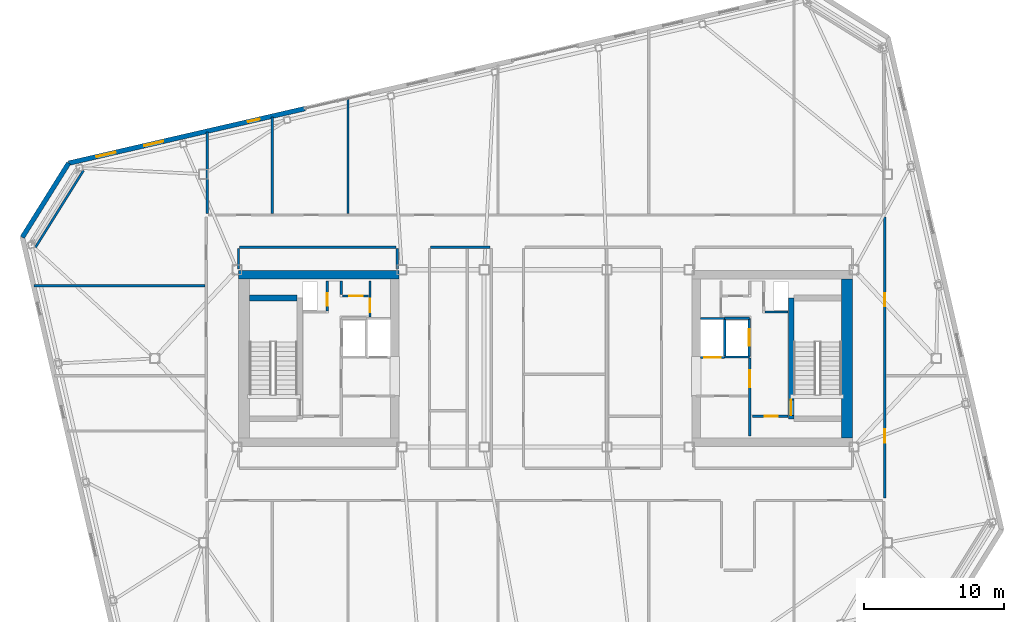
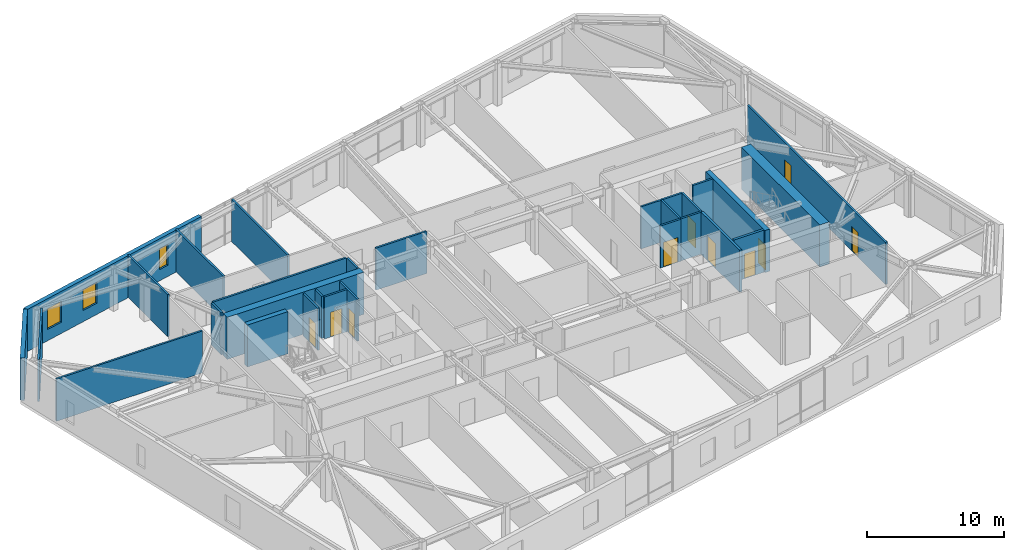
# One storey, part 18 of 23: 29 walls, 10 doors, 3 windows, 13 openings.
"""IFC4 building model written with IfcOpenShell, lengths in metres."""

import ifcopenshell
import ifcopenshell.guid

model = None  # the IFC model being written
_history = None  # IfcOwnerHistory: only IFC2X3 demands one
_inside = {}  # id of a spatial element -> (the spatial element, [elements in it])
_under = {}  # id of a project, library or spatial element -> (it, [spatial elements below it])
_declared = {}  # id of a project -> (the project, [libraries it declares])
_typed = {}  # id of a type object -> (the type object, [elements of that type])
_made_of = {}  # id of a material, layer set ... -> (it, [elements and type objects made of it])


def new_model(schema):
    """Start an empty IFC model of exactly this schema.

    Asked for "IFC4X3", IfcOpenShell would pick the latest addendum, in which some entities
    have other attributes; the version numbers below select the first issue.
    IFC2X3 requires an IfcOwnerHistory on every rooted entity: one is made here for all.
    """
    global model, _history
    if schema == "IFC4X3":
        model = ifcopenshell.file(schema_version=(4, 3, 0, 0))
    else:
        model = ifcopenshell.file(schema=schema)
    _inside.clear()
    _under.clear()
    _declared.clear()
    _typed.clear()
    _made_of.clear()
    _history = None
    if model.schema == "IFC2X3":
        org = make("IfcOrganization", Name="unknown")
        user = make(
            "IfcPersonAndOrganization",
            ThePerson=make("IfcPerson", FamilyName="unknown"),
            TheOrganization=org,
        )
        app = make(
            "IfcApplication",
            ApplicationDeveloper=org,
            Version="unknown",
            ApplicationFullName="unknown",
            ApplicationIdentifier="unknown",
        )
        _history = make(
            "IfcOwnerHistory",
            OwningUser=user,
            OwningApplication=app,
            ChangeAction="ADDED",
            CreationDate=0,
        )
    return model


def make(cls, **values):
    """One entity of the class cls with the attributes given. An attribute that is None is left unset."""
    return model.create_entity(
        cls, **{name: value for name, value in values.items() if value is not None}
    )


def rooted(cls, **values):
    """An entity with a GlobalId (a new one), such as an element, a storey or a relation."""
    return make(cls, GlobalId=ifcopenshell.guid.new(), OwnerHistory=_history, **values)


def si_unit(unit_type, name, prefix=None):
    """IfcSIUnit, for example si_unit("LENGTHUNIT", "METRE", prefix="MILLI")."""
    return make("IfcSIUnit", UnitType=unit_type, Prefix=prefix, Name=name)


def assignment(units):
    """IfcUnitAssignment: the units of a project."""
    return None if units is None else make("IfcUnitAssignment", Units=units)


def point(xyz):
    """IfcCartesianPoint."""
    return None if xyz is None else make("IfcCartesianPoint", Coordinates=xyz)


def direction(xyz):
    """IfcDirection."""
    return None if xyz is None else make("IfcDirection", DirectionRatios=xyz)


def frame(location, z_axis=None, x_axis=None):
    """IfcAxis2Placement3D, a coordinate frame: its origin and axes. An axis left out is left unset."""
    return make(
        "IfcAxis2Placement3D",
        Location=point(location),
        Axis=direction(z_axis),
        RefDirection=direction(x_axis),
    )


def frame_2d(location, x_axis=None):
    """IfcAxis2Placement2D, a coordinate frame in the plane: its origin and x axis."""
    return make(
        "IfcAxis2Placement2D", Location=point(location), RefDirection=direction(x_axis)
    )


def origin():
    """The frame at (0, 0, 0) with its axes left unset."""
    return frame((0.0, 0.0, 0.0))


def place(relative_to, where):
    """IfcLocalPlacement: puts the frame where relative to a parent placement (None: the world)."""
    return make(
        "IfcLocalPlacement", PlacementRelTo=relative_to, RelativePlacement=where
    )


def context(
    kind, dimensions, precision=None, world=None, true_north=None, identifier=None
):
    """IfcGeometricRepresentationContext, for example the 3D "Model" context."""
    return make(
        "IfcGeometricRepresentationContext",
        ContextIdentifier=identifier,
        ContextType=kind,
        CoordinateSpaceDimension=dimensions,
        Precision=precision,
        WorldCoordinateSystem=world,
        TrueNorth=true_north,
    )


def subcontext(parent, identifier, kind, view, scale=None):
    """IfcGeometricRepresentationSubContext, for example "Body" below "Model"."""
    return make(
        "IfcGeometricRepresentationSubContext",
        ContextIdentifier=identifier,
        ContextType=kind,
        ParentContext=parent,
        TargetScale=scale,
        TargetView=view,
    )


def project(units=None, contexts=None):
    """IfcProject with its units and contexts."""
    return rooted(
        "IfcProject",
        Name="project",
        RepresentationContexts=contexts,
        UnitsInContext=assignment(units),
    )


def spatial(cls, under=None, at=None, **own):
    """A site, building, storey or space (cls), placed at a placement, below another one or the project."""
    s = rooted(cls, ObjectPlacement=at, **own)
    if under is not None:
        _under.setdefault(under.id(), (under, []))[1].append(s)
    return s


def profile(cls, at=None, kind="AREA", **sizes):
    """A parametric profile (cls). Its sizes go by their IFC names, for example OverallWidth=200.0."""
    return make(cls, ProfileType=kind, Position=at, **sizes)


def rectangle(**sizes):
    """IfcRectangleProfileDef."""
    return profile("IfcRectangleProfileDef", **sizes)


def extrude(swept, where, along, depth):
    """IfcExtrudedAreaSolid: the profile swept, set in the frame where, extruded along a direction by depth."""
    return make(
        "IfcExtrudedAreaSolid",
        SweptArea=swept,
        Position=where,
        ExtrudedDirection=direction(along),
        Depth=depth,
    )


def shape(context_of_items, identifier, shape_type, items):
    """IfcShapeRepresentation: the items that make up one representation, for example the "Body"."""
    return make(
        "IfcShapeRepresentation",
        ContextOfItems=context_of_items,
        RepresentationIdentifier=identifier,
        RepresentationType=shape_type,
        Items=items,
    )


def material(Name=None, Category=None):
    """IfcMaterial."""
    return make("IfcMaterial", Name=Name, Category=Category)


def layer(
    of_material, thickness, ventilated=None, Name=None, Category=None, Priority=None
):
    """IfcMaterialLayer: one layer of a wall or slab, of a material (None: an air gap)."""
    return make(
        "IfcMaterialLayer",
        Material=of_material,
        LayerThickness=thickness,
        IsVentilated=ventilated,
        Name=Name,
        Category=Category,
        Priority=Priority,
    )


def layer_set(layers, Name=None):
    """IfcMaterialLayerSet."""
    return make("IfcMaterialLayerSet", MaterialLayers=layers, LayerSetName=Name)


def made_of(thing, what):
    """Note that an element or type object is made of a material, layer set ...; save() writes the relation."""
    if what is not None:
        _made_of.setdefault(what.id(), (what, []))[1].append(thing)
    return thing


def type_object(cls, material=None, **own):
    """A type object (cls), such as IfcWallType, which elements share."""
    return made_of(rooted(cls, **own), material)


def element(
    cls,
    number,
    at=None,
    inside=None,
    cuts=None,
    type_object=None,
    material=None,
    context=None,
    identifier="Body",
    shape_type=None,
    held_by="IfcProductDefinitionShape",
    body=None,
    shapes=None,
    **own,
):
    """One element of the class cls, such as IfcWall. Its Tag is "e" and its number.

    at: its placement. inside: the storey or other place that contains it. cuts: it is an
    opening in that element (IfcRelVoidsElement). A single representation is given by context,
    identifier, shape_type and body (its items); several are given by shapes. held_by: the class
    of the entity that holds the representations. save() writes the other relations.
    """
    e = rooted(cls, Tag="e%d" % number, ObjectPlacement=at, **own)
    if body is not None:
        shapes = [shape(context, identifier, shape_type, body)]
    if shapes is not None:
        e.Representation = make(held_by, Representations=shapes)
    if inside is not None:
        _inside.setdefault(inside.id(), (inside, []))[1].append(e)
    if cuts is not None:
        rooted(
            "IfcRelVoidsElement", RelatingBuildingElement=cuts, RelatedOpeningElement=e
        )
    if type_object is not None:
        _typed.setdefault(type_object.id(), (type_object, []))[1].append(e)
    return made_of(e, material)


def fill(opening, filler):
    """IfcRelFillsElement: the door or window that sits in an opening."""
    return rooted(
        "IfcRelFillsElement",
        RelatingOpeningElement=opening,
        RelatedBuildingElement=filler,
    )


def aggregate(whole, parts):
    """IfcRelAggregates: a whole, such as a stair, and the parts it consists of."""
    return rooted("IfcRelAggregates", RelatingObject=whole, RelatedObjects=parts)


def save(model, path):
    """Write the relations noted so far, then the file.

    IfcRelAggregates (storeys below a building ...), IfcRelContainedInSpatialStructure (elements
    in a storey), IfcRelDefinesByType, IfcRelAssociatesMaterial and IfcRelDeclares: one each for
    every whole, place, type object, material and project.
    """
    for whole, parts in _under.values():
        aggregate(whole, parts)
    for where, things in _inside.values():
        rooted(
            "IfcRelContainedInSpatialStructure",
            RelatedElements=things,
            RelatingStructure=where,
        )
    for kind, things in _typed.values():
        rooted("IfcRelDefinesByType", RelatedObjects=things, RelatingType=kind)
    for what, things in _made_of.values():
        rooted("IfcRelAssociatesMaterial", RelatedObjects=things, RelatingMaterial=what)
    for by, libraries in _declared.values():
        rooted("IfcRelDeclares", RelatingContext=by, RelatedDefinitions=libraries)
    model.write(path)


model = new_model("IFC4")

# Units and contexts
model_context = context("Model", 3, precision=1e-05, world=origin(), true_north=direction((0.0, 1.0)))
body_context = subcontext(model_context, "Body", "Model", "MODEL_VIEW")
ifc_project = project(units=[si_unit("LENGTHUNIT", "METRE"), si_unit("AREAUNIT", "SQUARE_METRE"), si_unit("VOLUMEUNIT", "CUBIC_METRE"), si_unit("PLANEANGLEUNIT", "RADIAN"), si_unit("MASSUNIT", "GRAM", prefix="KILO")], contexts=[model_context])

# Site, building, storey
site_placement = place(None, origin())
site = spatial("IfcSite", under=ifc_project, at=site_placement, CompositionType="ELEMENT")
building_placement = place(site_placement, origin())
building = spatial("IfcBuilding", under=site, at=building_placement, Name="Tavrogorsk Clinical Tower", CompositionType="ELEMENT")
storey_placement = place(building_placement, frame((0.0, 0.0, 301.0)))
storey = spatial("IfcBuildingStorey", under=building, at=storey_placement, Name="L70", CompositionType="ELEMENT", Elevation=301.0)

# Wall, opening, door
ifc_material_1 = material(Name="Concrete B60", Category="concrete")
ifc_layer_1 = layer(ifc_material_1, 0.199951171875)
ifc_layer_set_1 = layer_set([ifc_layer_1], Name="Concrete B60")
wall_type_1 = type_object("IfcWallType", Name="CoreFireWall_200", PredefinedType="SOLIDWALL", material=ifc_layer_set_1)
wall_1_placement = place(storey_placement, frame((14.824951171875, -4.139892578125, 0.0), z_axis=(0.0, 0.0, 1.0), x_axis=(1.0, 0.0, 0.0)))
wall_1 = element("IfcWall", 1, at=wall_1_placement, inside=storey, type_object=wall_type_1, Name="L70 Core East South Core Room Fire Wall", PredefinedType="SOLIDWALL", context=body_context, shape_type="SweptSolid", body=[
    extrude(rectangle(XDim=2.554931640625, YDim=0.199951171875, at=frame_2d((1.27734375, 0.0))), origin(), (0.0, 0.0, 1.0), 3.739990234375),
])
opening_1_placement = place(wall_1_placement, frame((0.8798828125, 0.0, 0.0)))
opening_1 = element("IfcOpeningElement", 2, at=opening_1_placement, cuts=wall_1, Name="Opening ID-02", PredefinedType="OPENING", context=body_context, shape_type="SweptSolid", body=[
    extrude(rectangle(XDim=0.949951171875, YDim=2.199951171875, at=frame_2d((0.47509765625, 1.10009765625))), frame((0.0, 0.10986328125, 0.0), z_axis=(0.0, -1.0, 0.0), x_axis=(1.0, 0.0, 0.0)), (0.0, 0.0, 1.0), 0.219970703125),
])
ifc_material_2 = material(Name="Laminated timber leaf on aluminium frame", Category="wood")
door_type_1 = type_object("IfcDoorType", Name="InteriorDoor_ID02_950", OperationType="NOTDEFINED", PredefinedType="DOOR", material=ifc_material_2)
door_1_placement = place(opening_1_placement, origin())
door_1 = element("IfcDoor", 3, at=door_1_placement, inside=storey, type_object=door_type_1, Name="L70 Core East South Core Room Door", OperationType="SINGLE_SWING_RIGHT", OverallHeight=2.199951171875, OverallWidth=0.949951171875, PredefinedType="DOOR", context=body_context, shape_type="SweptSolid", body=[
    extrude(rectangle(XDim=0.949951171875, YDim=2.199951171875, at=frame_2d((0.47509765625, 1.10009765625))), frame((0.0, 0.02490234375, 0.0), z_axis=(0.0, -1.0, 0.0), x_axis=(1.0, 0.0, 0.0)), (0.0, 0.0, 1.0), 0.050048828125),
])
fill(opening_1, door_1)

wall_2_placement = place(storey_placement, frame((14.639892578125, -5.56005859375, 0.0), z_axis=(0.0, 0.0, 1.0), x_axis=(0.0, 1.0, 0.0)))
wall_2 = element("IfcWall", 4, at=wall_2_placement, inside=storey, type_object=wall_type_1, Name="L70 Core East Firefighting Lobby Fire Wall", PredefinedType="SOLIDWALL", context=body_context, shape_type="SweptSolid", body=[
    extrude(rectangle(XDim=5.60009765625, YDim=0.199951171875, at=frame_2d((2.800048828125, 0.0))), origin(), (0.0, 0.0, 1.0), 3.739990234375),
])
opening_2_placement = place(wall_2_placement, frame((3.510009765625, 0.0, 0.0)))
opening_2 = element("IfcOpeningElement", 5, at=opening_2_placement, cuts=wall_2, Name="Opening FD-01", PredefinedType="OPENING", context=body_context, shape_type="SweptSolid", body=[
    extrude(rectangle(XDim=1.199951171875, YDim=2.199951171875, at=frame_2d((0.60009765625, 1.10009765625))), frame((0.0, 0.10986328125, 0.0), z_axis=(0.0, -1.0, 0.0), x_axis=(1.0, 0.0, 0.0)), (0.0, 0.0, 1.0), 0.219970703125),
])
ifc_material_3 = material(Name="Galvanised steel fire-rated door assembly", Category="steel")
door_type_2 = type_object("IfcDoorType", Name="FireDoor_FD01_1200", OperationType="NOTDEFINED", PredefinedType="DOOR", material=ifc_material_3)
door_2_placement = place(opening_2_placement, origin())
door_2 = element("IfcDoor", 6, at=door_2_placement, inside=storey, type_object=door_type_2, Name="L70 Core East Firefighting Lobby Entry Door", OperationType="SINGLE_SWING_RIGHT", OverallHeight=2.199951171875, OverallWidth=1.199951171875, PredefinedType="DOOR", context=body_context, shape_type="SweptSolid", body=[
    extrude(rectangle(XDim=1.199951171875, YDim=2.199951171875, at=frame_2d((0.60009765625, 1.10009765625))), frame((0.0, 0.02490234375, 0.0), z_axis=(0.0, -1.0, 0.0), x_axis=(1.0, 0.0, 0.0)), (0.0, 0.0, 1.0), 0.050048828125),
])
fill(opening_2, door_2)

ifc_material_4 = material(Name="Lightweight concrete blockwork B15", Category="masonry")
ifc_layer_2 = layer(ifc_material_4, 0.159912109375)
ifc_layer_set_2 = layer_set([ifc_layer_2], Name="Lightweight concrete blockwork B15")
wall_type_2 = type_object("IfcWallType", Name="PartitionWall_160", PredefinedType="PARTITIONING", material=ifc_layer_set_2)
wall_3_placement = place(storey_placement, frame((-12.580078125, 2.9599609375, 0.0), z_axis=(0.0, 0.0, 1.0), x_axis=(0.0, 1.0, 0.0)))
wall_3 = element("IfcWall", 7, at=wall_3_placement, inside=storey, type_object=wall_type_2, Name="L70 Core West Linen Closet Wall", PredefinedType="PARTITIONING", context=body_context, shape_type="SweptSolid", body=[
    extrude(rectangle(XDim=2.60009765625, YDim=0.159912109375, at=frame_2d((1.300048828125, 0.0))), origin(), (0.0, 0.0, 1.0), 3.739990234375),
])
opening_3_placement = place(wall_3_placement, frame((0.35009765625, 0.0, 0.0)))
opening_3 = element("IfcOpeningElement", 8, at=opening_3_placement, cuts=wall_3, Name="Opening ID-02", PredefinedType="OPENING", context=body_context, shape_type="SweptSolid", body=[
    extrude(rectangle(XDim=0.949951171875, YDim=2.199951171875, at=frame_2d((0.47509765625, 1.10009765625))), frame((0.0, 0.08984375, 0.0), z_axis=(0.0, -1.0, 0.0), x_axis=(1.0, 0.0, 0.0)), (0.0, 0.0, 1.0), 0.179931640625),
])
door_3_placement = place(opening_3_placement, origin())
door_3 = element("IfcDoor", 9, at=door_3_placement, inside=storey, type_object=door_type_1, Name="L70 Core West Linen Closet Door", OperationType="SINGLE_SWING_RIGHT", OverallHeight=2.199951171875, OverallWidth=0.949951171875, PredefinedType="DOOR", context=body_context, shape_type="SweptSolid", body=[
    extrude(rectangle(XDim=0.949951171875, YDim=2.199951171875, at=frame_2d((0.47509765625, 1.10009765625))), frame((0.0, 0.02490234375, 0.0), z_axis=(0.0, -1.0, 0.0), x_axis=(1.0, 0.0, 0.0)), (0.0, 0.0, 1.0), 0.050048828125),
])
fill(opening_3, door_3)

wall_4_placement = place(storey_placement, frame((-14.554931640625, 4.47998046875, 0.0), z_axis=(0.0, 0.0, 1.0), x_axis=(1.0, 0.0, 0.0)))
wall_4 = element("IfcWall", 10, at=wall_4_placement, inside=storey, type_object=wall_type_2, Name="L70 Core West Housekeeping South Wall", PredefinedType="PARTITIONING", context=body_context, shape_type="SweptSolid", body=[
    extrude(rectangle(XDim=1.889892578125, YDim=0.159912109375, at=frame_2d((0.94482421875, 0.0))), origin(), (0.0, 0.0, 1.0), 3.739990234375),
])
opening_4_placement = place(wall_4_placement, frame((0.5, 0.0, 0.0)))
opening_4 = element("IfcOpeningElement", 11, at=opening_4_placement, cuts=wall_4, Name="Opening ID-02", PredefinedType="OPENING", context=body_context, shape_type="SweptSolid", body=[
    extrude(rectangle(XDim=0.949951171875, YDim=2.199951171875, at=frame_2d((0.47509765625, 1.10009765625))), frame((0.0, 0.08984375, 0.0), z_axis=(0.0, -1.0, 0.0), x_axis=(1.0, 0.0, 0.0)), (0.0, 0.0, 1.0), 0.179931640625),
])
door_4_placement = place(opening_4_placement, origin())
door_4 = element("IfcDoor", 12, at=door_4_placement, inside=storey, type_object=door_type_1, Name="L70 Core West Housekeeping Closet Door", OperationType="SINGLE_SWING_LEFT", OverallHeight=2.199951171875, OverallWidth=0.949951171875, PredefinedType="DOOR", context=body_context, shape_type="SweptSolid", body=[
    extrude(rectangle(XDim=0.949951171875, YDim=2.199951171875, at=frame_2d((0.47509765625, 1.10009765625))), frame((0.0, 0.02490234375, 0.0), z_axis=(0.0, -1.0, 0.0), x_axis=(1.0, 0.0, 0.0)), (0.0, 0.0, 1.0), 0.050048828125),
])
fill(opening_4, door_4)

# Walls
wall_5_placement = place(storey_placement, frame((-14.639892578125, 4.56494140625, 0.0), z_axis=(0.0, 0.0, 1.0), x_axis=(0.0, 1.0, 0.0)))
element("IfcWall", 13, at=wall_5_placement, inside=storey, type_object=wall_type_2, Name="L70 Core West Housekeeping East Wall", PredefinedType="PARTITIONING", context=body_context, shape_type="SweptSolid", body=[
    extrude(rectangle(XDim=0.9951171875, YDim=0.159912109375, at=frame_2d((0.49755859375, 0.0))), origin(), (0.0, 0.0, 1.0), 3.739990234375),
])
wall_6_placement = place(storey_placement, frame((-33.10009765625, 13.464599609375, 0.0), z_axis=(0.0, 0.0, 1.0), x_axis=(-0.529958457806, -0.848023604035, 0.0)))
element("IfcWall", 14, at=wall_6_placement, inside=storey, type_object=wall_type_2, Name="L70 Corner Exoskeleton Brace Furring Wall 3", PredefinedType="PARTITIONING", context=body_context, shape_type="SweptSolid", body=[
    extrude(rectangle(XDim=6.505126953125, YDim=0.159912109375, at=frame_2d((3.25244140625, 0.0))), origin(), (0.0, 0.0, 1.0), 3.739990234375),
])

# Wall, openings, doors
wall_7_placement = place(storey_placement, frame((24.31005859375, 10.114990234375, 0.0), z_axis=(0.0, 0.0, 1.0), x_axis=(0.0, -1.0, 0.0)))
wall_7 = element("IfcWall", 15, at=wall_7_placement, inside=storey, type_object=wall_type_2, Name="L70 Corridor Partition 03", PredefinedType="PARTITIONING", context=body_context, shape_type="SweptSolid", body=[
    extrude(rectangle(XDim=20.1298828125, YDim=0.159912109375, at=frame_2d((10.06494140625, 0.0))), origin(), (0.0, 0.0, 1.0), 3.739990234375),
])
opening_5_placement = place(wall_7_placement, frame((15.205810546875, 0.0, 0.0)))
opening_5 = element("IfcOpeningElement", 16, at=opening_5_placement, cuts=wall_7, Name="Opening ID-02", PredefinedType="OPENING", context=body_context, shape_type="SweptSolid", body=[
    extrude(rectangle(XDim=0.949951171875, YDim=2.199951171875, at=frame_2d((0.47509765625, 1.10009765625))), frame((0.0, 0.08984375, 0.0), z_axis=(0.0, -1.0, 0.0), x_axis=(1.0, 0.0, 0.0)), (0.0, 0.0, 1.0), 0.179931640625),
])
opening_6_placement = place(wall_7_placement, frame((5.444091796875, 0.0, 0.0)))
opening_6 = element("IfcOpeningElement", 17, at=opening_6_placement, cuts=wall_7, Name="Opening ID-02", PredefinedType="OPENING", context=body_context, shape_type="SweptSolid", body=[
    extrude(rectangle(XDim=0.949951171875, YDim=2.199951171875, at=frame_2d((0.47509765625, 1.10009765625))), frame((0.0, 0.08984375, 0.0), z_axis=(0.0, -1.0, 0.0), x_axis=(1.0, 0.0, 0.0)), (0.0, 0.0, 1.0), 0.179931640625),
])
door_5_placement = place(opening_5_placement, origin())
door_5 = element("IfcDoor", 18, at=door_5_placement, inside=storey, type_object=door_type_1, Name="L70 E Senior Clinician Suite 1 Door", OperationType="SINGLE_SWING_RIGHT", OverallHeight=2.199951171875, OverallWidth=0.949951171875, PredefinedType="DOOR", context=body_context, shape_type="SweptSolid", body=[
    extrude(rectangle(XDim=0.949951171875, YDim=2.199951171875, at=frame_2d((0.47509765625, 1.10009765625))), frame((0.0, 0.02490234375, 0.0), z_axis=(0.0, -1.0, 0.0), x_axis=(1.0, 0.0, 0.0)), (0.0, 0.0, 1.0), 0.050048828125),
])
fill(opening_5, door_5)
door_6_placement = place(opening_6_placement, origin())
door_6 = element("IfcDoor", 19, at=door_6_placement, inside=storey, type_object=door_type_1, Name="L70 E Multidisciplinary Seminar Suite 2 Door", OperationType="SINGLE_SWING_LEFT", OverallHeight=2.199951171875, OverallWidth=0.949951171875, PredefinedType="DOOR", context=body_context, shape_type="SweptSolid", body=[
    extrude(rectangle(XDim=0.949951171875, YDim=2.199951171875, at=frame_2d((0.47509765625, 1.10009765625))), frame((0.0, 0.02490234375, 0.0), z_axis=(0.0, -1.0, 0.0), x_axis=(1.0, 0.0, 0.0)), (0.0, 0.0, 1.0), 0.050048828125),
])
fill(opening_6, door_6)

# Walls
wall_8_placement = place(storey_placement, frame((-3.965087890625, 7.969970703125, 0.0), z_axis=(0.0, 0.0, 1.0), x_axis=(-1.0, 0.0, 0.0)))
element("IfcWall", 20, at=wall_8_placement, inside=storey, type_object=wall_type_2, Name="L70 Corridor Partition 20", PredefinedType="PARTITIONING", context=body_context, shape_type="SweptSolid", body=[
    extrude(rectangle(XDim=4.27001953125, YDim=0.159912109375, at=frame_2d((2.135009765625, 0.0))), origin(), (0.0, 0.0, 1.0), 3.739990234375),
])
wall_9_placement = place(storey_placement, frame((-10.6298828125, 6.419921875, 0.0), z_axis=(0.0, 0.0, 1.0), x_axis=(0.0, 1.0, 0.0)))
element("IfcWall", 21, at=wall_9_placement, inside=storey, type_object=wall_type_2, Name="L70 Corridor Partition 24", PredefinedType="PARTITIONING", context=body_context, shape_type="SweptSolid", body=[
    extrude(rectangle(XDim=1.465087890625, YDim=0.159912109375, at=frame_2d((0.732421875, 0.0))), origin(), (0.0, 0.0, 1.0), 3.739990234375),
])
wall_10_placement = place(storey_placement, frame((-10.715087890625, 7.969970703125, 0.0), z_axis=(0.0, 0.0, 1.0), x_axis=(-1.0, 0.0, 0.0)))
element("IfcWall", 22, at=wall_10_placement, inside=storey, type_object=wall_type_2, Name="L70 Corridor Partition 25", PredefinedType="PARTITIONING", context=body_context, shape_type="SweptSolid", body=[
    extrude(rectangle(XDim=11.199951171875, YDim=0.159912109375, at=frame_2d((5.60009765625, 0.0))), origin(), (0.0, 0.0, 1.0), 3.739990234375),
])
wall_11_placement = place(storey_placement, frame((-22.0, 7.885009765625, 0.0), z_axis=(0.0, 0.0, 1.0), x_axis=(0.0, -1.0, 0.0)))
element("IfcWall", 23, at=wall_11_placement, inside=storey, type_object=wall_type_2, Name="L70 Corridor Partition 26", PredefinedType="PARTITIONING", context=body_context, shape_type="SweptSolid", body=[
    extrude(rectangle(XDim=1.465087890625, YDim=0.159912109375, at=frame_2d((0.732421875, 0.0))), origin(), (0.0, 0.0, 1.0), 3.739990234375),
])
wall_12_placement = place(storey_placement, frame((-24.22998046875, 10.364990234375, 0.0), z_axis=(0.0, 0.0, 1.0), x_axis=(0.0, 1.0, 0.0)))
element("IfcWall", 24, at=wall_12_placement, inside=storey, type_object=wall_type_2, Name="L70 NW Wing Closure Partition", PredefinedType="PARTITIONING", context=body_context, shape_type="SweptSolid", body=[
    extrude(rectangle(XDim=5.845947265625, YDim=0.159912109375, at=frame_2d((2.9228515625, 0.0))), origin(), (0.0, 0.0, 1.0), 3.739990234375),
])
wall_13_placement = place(storey_placement, frame((-19.580078125, 10.364990234375, 0.0), z_axis=(0.0, 0.0, 1.0), x_axis=(0.0, 1.0, 0.0)))
element("IfcWall", 25, at=wall_13_placement, inside=storey, type_object=wall_type_2, Name="L70 North Room Partition 1", PredefinedType="PARTITIONING", context=body_context, shape_type="SweptSolid", body=[
    extrude(rectangle(XDim=6.91943359375, YDim=0.159912109375, at=frame_2d((3.459716796875, 0.0))), origin(), (0.0, 0.0, 1.0), 3.739990234375),
])
wall_14_placement = place(storey_placement, frame((-14.159912109375, 10.364990234375, 0.0), z_axis=(0.0, 0.0, 1.0), x_axis=(0.0, 1.0, 0.0)))
element("IfcWall", 26, at=wall_14_placement, inside=storey, type_object=wall_type_2, Name="L70 North Room Partition 2", PredefinedType="PARTITIONING", context=body_context, shape_type="SweptSolid", body=[
    extrude(rectangle(XDim=8.1708984375, YDim=0.159912109375, at=frame_2d((4.08544921875, 0.0))), origin(), (0.0, 0.0, 1.0), 3.739990234375),
])
wall_15_placement = place(storey_placement, frame((-36.662841796875, 5.199951171875, 0.0), z_axis=(0.0, 0.0, 1.0), x_axis=(1.0, 0.0, 0.0)))
element("IfcWall", 27, at=wall_15_placement, inside=storey, type_object=wall_type_2, Name="L70 W Wing Divider 3", PredefinedType="PARTITIONING", context=body_context, shape_type="SweptSolid", body=[
    extrude(rectangle(XDim=12.267822265625, YDim=0.159912109375, at=frame_2d((6.1337890625, 0.0))), origin(), (0.0, 0.0, 1.0), 3.739990234375),
])

# Wall, openings, windows
ifc_material_5 = material(Name="Precast concrete B45 with limestone cladding", Category="masonry")
ifc_layer_3 = layer(ifc_material_5, 0.340087890625)
ifc_layer_set_3 = layer_set([ifc_layer_3], Name="Precast concrete B45 with limestone cladding")
wall_type_3 = type_object("IfcWallType", Name="PrecastLimestoneWall_340", PredefinedType="STANDARD", material=ifc_layer_set_3)
wall_16_placement = place(storey_placement, frame((-17.2451171875, 17.895263671875, 0.0), z_axis=(0.0, 0.0, 1.0), x_axis=(-0.97437318493, -0.224937539085, 0.0)))
wall_16 = element("IfcWall", 28, at=wall_16_placement, inside=storey, type_object=wall_type_3, Name="L70 N Limestone Facade Wall 3", PredefinedType="STANDARD", context=body_context, shape_type="SweptSolid", body=[
    extrude(rectangle(XDim=17.365966796875, YDim=0.340087890625, at=frame_2d((8.68310546875, 0.0))), origin(), (0.0, 0.0, 1.0), 3.739990234375),
])
opening_7_placement = place(wall_16_placement, frame((13.924560546875, 0.0, 1.0)))
opening_7 = element("IfcOpeningElement", 29, at=opening_7_placement, cuts=wall_16, Name="Opening WN-17", PredefinedType="OPENING", context=body_context, shape_type="SweptSolid", body=[
    extrude(rectangle(XDim=1.39990234375, YDim=1.85009765625, at=frame_2d((0.699951171875, 0.925048828125))), frame((0.0, 0.179931640625, 0.0), z_axis=(0.0, -1.0, 0.0), x_axis=(1.0, 0.0, 0.0)), (0.0, 0.0, 1.0), 0.360107421875),
])
opening_8_placement = place(wall_16_placement, frame((10.412841796875, 0.0, 1.0)))
opening_8 = element("IfcOpeningElement", 30, at=opening_8_placement, cuts=wall_16, Name="Opening WN-17", PredefinedType="OPENING", context=body_context, shape_type="SweptSolid", body=[
    extrude(rectangle(XDim=1.39990234375, YDim=1.85009765625, at=frame_2d((0.699951171875, 0.925048828125))), frame((0.0, 0.179931640625, 0.0), z_axis=(0.0, -1.0, 0.0), x_axis=(1.0, 0.0, 0.0)), (0.0, 0.0, 1.0), 0.360107421875),
])
opening_9_placement = place(wall_16_placement, frame((3.32861328125, 0.0, 1.0)))
opening_9 = element("IfcOpeningElement", 31, at=opening_9_placement, cuts=wall_16, Name="Opening WN-06", PredefinedType="OPENING", context=body_context, shape_type="SweptSolid", body=[
    extrude(rectangle(XDim=0.85009765625, YDim=1.85009765625, at=frame_2d((0.425048828125, 0.925048828125))), frame((0.0, 0.179931640625, 0.0), z_axis=(0.0, -1.0, 0.0), x_axis=(1.0, 0.0, 0.0)), (0.0, 0.0, 1.0), 0.360107421875),
])
ifc_material_6 = material(Name="Thermally broken aluminium frame and triple IGU", Category="aluminium")
window_type_1 = type_object("IfcWindowType", Name="MullionSubWin_850x1850", PartitioningType="SINGLE_PANEL", PredefinedType="WINDOW", material=ifc_material_6)
window_1_placement = place(opening_9_placement, origin())
window_1 = element("IfcWindow", 32, at=window_1_placement, inside=storey, type_object=window_type_1, Name="L70 N Mullion Split Window 04B", OverallHeight=1.85009765625, OverallWidth=0.85009765625, PartitioningType="SINGLE_PANEL", PredefinedType="WINDOW", context=body_context, shape_type="SweptSolid", body=[
    extrude(rectangle(XDim=0.85009765625, YDim=1.85009765625, at=frame_2d((0.425048828125, 0.925048828125))), frame((0.0, 0.030029296875, 0.0), z_axis=(0.0, -1.0, 0.0), x_axis=(1.0, 0.0, 0.0)), (0.0, 0.0, 1.0), 0.06005859375),
])
fill(opening_9, window_1)
ifc_material_7 = material(Name="Thermally broken aluminium frame and triple IGU", Category="aluminium")
window_type_2 = type_object("IfcWindowType", Name="TelemetryWin_1400x1850", PartitioningType="SINGLE_PANEL", PredefinedType="WINDOW", material=ifc_material_7)
window_2_placement = place(opening_7_placement, origin())
window_2 = element("IfcWindow", 33, at=window_2_placement, inside=storey, type_object=window_type_2, Name="L70 N Chicago Window 01", OverallHeight=1.85009765625, OverallWidth=1.39990234375, PartitioningType="SINGLE_PANEL", PredefinedType="WINDOW", context=body_context, shape_type="SweptSolid", body=[
    extrude(rectangle(XDim=1.39990234375, YDim=1.85009765625, at=frame_2d((0.699951171875, 0.925048828125))), frame((0.0, 0.030029296875, 0.0), z_axis=(0.0, -1.0, 0.0), x_axis=(1.0, 0.0, 0.0)), (0.0, 0.0, 1.0), 0.06005859375),
])
fill(opening_7, window_2)
window_3_placement = place(opening_8_placement, origin())
window_3 = element("IfcWindow", 34, at=window_3_placement, inside=storey, type_object=window_type_2, Name="L70 N Chicago Window 02", OverallHeight=1.85009765625, OverallWidth=1.39990234375, PartitioningType="SINGLE_PANEL", PredefinedType="WINDOW", context=body_context, shape_type="SweptSolid", body=[
    extrude(rectangle(XDim=1.39990234375, YDim=1.85009765625, at=frame_2d((0.699951171875, 0.925048828125))), frame((0.0, 0.030029296875, 0.0), z_axis=(0.0, -1.0, 0.0), x_axis=(1.0, 0.0, 0.0)), (0.0, 0.0, 1.0), 0.06005859375),
])
fill(opening_8, window_3)

# Wall
wall_17_placement = place(storey_placement, frame((-34.165771484375, 13.989013671875, 0.0), z_axis=(0.0, 0.0, 1.0), x_axis=(-0.529935887993, -0.848037708252, 0.0)))
element("IfcWall", 35, at=wall_17_placement, inside=storey, type_object=wall_type_3, Name="L70 Chamfered Corner Wall 3", PredefinedType="STANDARD", context=body_context, shape_type="SweptSolid", body=[
    extrude(rectangle(XDim=6.26513671875, YDim=0.340087890625, at=frame_2d((3.132568359375, 0.0))), origin(), (0.0, 0.0, 1.0), 3.739990234375),
])

# Wall, opening, door
ifc_material_8 = material(Name="Lightweight concrete blockwork B25", Category="masonry")
ifc_layer_4 = layer(ifc_material_8, 0.159912109375)
ifc_layer_set_4 = layer_set([ifc_layer_4], Name="Lightweight concrete blockwork B25")
wall_type_4 = type_object("IfcWallType", Name="ShaftWall_160", PredefinedType="PARTITIONING", material=ifc_layer_set_4)
wall_18_placement = place(storey_placement, frame((14.60009765625, 0.1201171875, 0.0), z_axis=(0.0, 0.0, 1.0), x_axis=(0.0, 1.0, 0.0)))
wall_18 = element("IfcWall", 36, at=wall_18_placement, inside=storey, type_object=wall_type_4, Name="L70 FFL-E Firefighting Lift Front Wall", PredefinedType="PARTITIONING", context=body_context, shape_type="SweptSolid", body=[
    extrude(rectangle(XDim=2.739990234375, YDim=0.159912109375, at=frame_2d((1.3701171875, 0.0))), origin(), (0.0, 0.0, 1.0), 3.739990234375),
])
opening_10_placement = place(wall_18_placement, frame((0.77001953125, 0.0, 0.0)))
opening_10 = element("IfcOpeningElement", 37, at=opening_10_placement, cuts=wall_18, Name="Opening LD", PredefinedType="OPENING", context=body_context, shape_type="SweptSolid", body=[
    extrude(rectangle(XDim=1.199951171875, YDim=2.199951171875, at=frame_2d((0.60009765625, 1.10009765625))), frame((0.0, 0.08984375, 0.0), z_axis=(0.0, -1.0, 0.0), x_axis=(1.0, 0.0, 0.0)), (0.0, 0.0, 1.0), 0.179931640625),
])
ifc_material_9 = material(Name="Brushed stainless steel AISI 304 sliding doors", Category="steel")
door_type_3 = type_object("IfcDoorType", Name="LiftLandingDoor_LD_1200", OperationType="SLIDING_TO_LEFT", PredefinedType="DOOR", material=ifc_material_9)
door_7_placement = place(opening_10_placement, origin())
door_7 = element("IfcDoor", 38, at=door_7_placement, inside=storey, type_object=door_type_3, Name="L70 FFL-E Sliding Lift Landing Door", OperationType="SLIDING_TO_LEFT", OverallHeight=2.199951171875, OverallWidth=1.199951171875, PredefinedType="DOOR", context=body_context, shape_type="SweptSolid", body=[
    extrude(rectangle(XDim=1.199951171875, YDim=2.199951171875, at=frame_2d((0.60009765625, 1.10009765625))), frame((0.0, 0.02490234375, 0.0), z_axis=(0.0, -1.0, 0.0), x_axis=(1.0, 0.0, 0.0)), (0.0, 0.0, 1.0), 0.050048828125),
])
fill(opening_10, door_7)

# Walls
for number, where, z_axis, x_axis, name in (
    (39, (12.840087890625, 0.10009765625, 0.0), (0.0, 0.0, 1.0), (1.0, 0.0, 0.0), "L70 FFL-E Shaft South Wall"),
    (40, (12.840087890625, 2.8798828125, 0.0), (0.0, 0.0, 1.0), (1.0, 0.0, 0.0), "L70 FFL-E Shaft North Wall"),
):
    element("IfcWall", number, at=place(storey_placement, frame(where, z_axis=z_axis, x_axis=x_axis)), inside=storey, type_object=wall_type_4, Name=name, PredefinedType="PARTITIONING", context=body_context, shape_type="SweptSolid", body=[
        extrude(rectangle(XDim=1.760009765625, YDim=0.159912109375, at=frame_2d((0.8798828125, 0.0))), origin(), (0.0, 0.0, 1.0), 3.739990234375),
    ])
wall_19_placement = place(storey_placement, frame((12.840087890625, 0.179931640625, 0.0), z_axis=(0.0, 0.0, 1.0), x_axis=(0.0, 1.0, 0.0)))
element("IfcWall", 41, at=wall_19_placement, inside=storey, type_object=wall_type_4, Name="L70 FFL-E Shaft Back Wall", PredefinedType="PARTITIONING", context=body_context, shape_type="SweptSolid", body=[
    extrude(rectangle(XDim=2.6201171875, YDim=0.159912109375, at=frame_2d((1.31005859375, 0.0))), origin(), (0.0, 0.0, 1.0), 3.739990234375),
])

# Wall, opening, door
wall_20_placement = place(storey_placement, frame((11.10009765625, 0.06005859375, 0.0), z_axis=(0.0, 0.0, 1.0), x_axis=(1.0, 0.0, 0.0)))
wall_20 = element("IfcWall", 42, at=wall_20_placement, inside=storey, type_object=wall_type_4, Name="L70 LP-H2 High-Zone Lift Portal Wall", PredefinedType="PARTITIONING", context=body_context, shape_type="SweptSolid", body=[
    extrude(rectangle(XDim=1.719970703125, YDim=0.159912109375, at=frame_2d((0.85986328125, 0.0))), origin(), (0.0, 0.0, 1.0), 3.739990234375),
])
opening_11_placement = place(wall_20_placement, frame((0.260009765625, 0.0, 0.0)))
opening_11 = element("IfcOpeningElement", 43, at=opening_11_placement, cuts=wall_20, Name="Opening LD", PredefinedType="OPENING", context=body_context, shape_type="SweptSolid", body=[
    extrude(rectangle(XDim=1.199951171875, YDim=2.199951171875, at=frame_2d((0.60009765625, 1.10009765625))), frame((0.0, 0.08984375, 0.0), z_axis=(0.0, -1.0, 0.0), x_axis=(1.0, 0.0, 0.0)), (0.0, 0.0, 1.0), 0.179931640625),
])
door_8_placement = place(opening_11_placement, origin())
door_8 = element("IfcDoor", 44, at=door_8_placement, inside=storey, type_object=door_type_3, Name="L70 LP-H2 Sliding Lift Landing Door", OperationType="SLIDING_TO_LEFT", OverallHeight=2.199951171875, OverallWidth=1.199951171875, PredefinedType="DOOR", context=body_context, shape_type="SweptSolid", body=[
    extrude(rectangle(XDim=1.199951171875, YDim=2.199951171875, at=frame_2d((0.60009765625, 1.10009765625))), frame((0.0, 0.02490234375, 0.0), z_axis=(0.0, -1.0, 0.0), x_axis=(1.0, 0.0, 0.0)), (0.0, 0.0, 1.0), 0.050048828125),
])
fill(opening_11, door_8)

# Wall
wall_21_placement = place(storey_placement, frame((11.10009765625, 2.860107421875, 0.0), z_axis=(0.0, 0.0, 1.0), x_axis=(1.0, 0.0, 0.0)))
element("IfcWall", 45, at=wall_21_placement, inside=storey, type_object=wall_type_4, Name="L70 LP-H2 High-Zone Lift Rear Wall", PredefinedType="PARTITIONING", context=body_context, shape_type="SweptSolid", body=[
    extrude(rectangle(XDim=1.719970703125, YDim=0.159912109375, at=frame_2d((0.85986328125, 0.0))), origin(), (0.0, 0.0, 1.0), 3.739990234375),
])

# Wall, opening, door
wall_22_placement = place(storey_placement, frame((-15.639892578125, 3.405029296875, 0.0), z_axis=(0.0, 0.0, 1.0), x_axis=(0.0, 1.0, 0.0)))
wall_22 = element("IfcWall", 46, at=wall_22_placement, inside=storey, type_object=wall_type_4, Name="L70 Core West Riser West Wall", PredefinedType="PARTITIONING", context=body_context, shape_type="SweptSolid", body=[
    extrude(rectangle(XDim=2.155029296875, YDim=0.159912109375, at=frame_2d((1.07763671875, 0.0))), origin(), (0.0, 0.0, 1.0), 3.739990234375),
])
opening_12_placement = place(wall_22_placement, frame((0.35009765625, 0.0, 0.0)))
opening_12 = element("IfcOpeningElement", 47, at=opening_12_placement, cuts=wall_22, Name="Opening FD-02", PredefinedType="OPENING", context=body_context, shape_type="SweptSolid", body=[
    extrude(rectangle(XDim=0.89990234375, YDim=2.199951171875, at=frame_2d((0.449951171875, 1.10009765625))), frame((0.0, 0.08984375, 0.0), z_axis=(0.0, -1.0, 0.0), x_axis=(1.0, 0.0, 0.0)), (0.0, 0.0, 1.0), 0.179931640625),
])
ifc_material_10 = material(Name="Galvanised steel fire-rated door assembly", Category="steel")
door_type_4 = type_object("IfcDoorType", Name="FireDoor_FD02_900", OperationType="NOTDEFINED", PredefinedType="DOOR", material=ifc_material_10)
door_9_placement = place(opening_12_placement, origin())
door_9 = element("IfcDoor", 48, at=door_9_placement, inside=storey, type_object=door_type_4, Name="L70 Core West Electrical Riser Access Door", OperationType="SINGLE_SWING_LEFT", OverallHeight=2.199951171875, OverallWidth=0.89990234375, PredefinedType="DOOR", context=body_context, shape_type="SweptSolid", body=[
    extrude(rectangle(XDim=0.89990234375, YDim=2.199951171875, at=frame_2d((0.449951171875, 1.10009765625))), frame((0.0, 0.02490234375, 0.0), z_axis=(0.0, -1.0, 0.0), x_axis=(1.0, 0.0, 0.0)), (0.0, 0.0, 1.0), 0.050048828125),
])
fill(opening_12, door_9)

# Walls
wall_23_placement = place(storey_placement, frame((15.72509765625, 3.320068359375, 0.0), z_axis=(0.0, 0.0, 1.0), x_axis=(1.0, 0.0, 0.0)))
element("IfcWall", 49, at=wall_23_placement, inside=storey, type_object=wall_type_4, Name="L70 Core East Riser South Wall", PredefinedType="PARTITIONING", context=body_context, shape_type="SweptSolid", body=[
    extrude(rectangle(XDim=1.65478515625, YDim=0.159912109375, at=frame_2d((0.827392578125, 0.0))), origin(), (0.0, 0.0, 1.0), 3.739990234375),
])
ifc_material_11 = material(Name="Concrete B80", Category="concrete")
ifc_layer_5 = layer(ifc_material_11, 0.39990234375)
ifc_layer_set_5 = layer_set([ifc_layer_5], Name="Concrete B80")
wall_type_5 = type_object("IfcWallType", Name="ShearWall_400", PredefinedType="SHEAR", material=ifc_layer_set_5)
wall_24_placement = place(storey_placement, frame((-21.199951171875, 4.324951171875, 0.0), z_axis=(0.0, 0.0, 1.0), x_axis=(1.0, 0.0, 0.0)))
element("IfcWall", 50, at=wall_24_placement, inside=storey, type_object=wall_type_5, Name="L70 Core West Stair Shaft North Shear Wall", PredefinedType="SHEAR", context=body_context, shape_type="SweptSolid", body=[
    extrude(rectangle(XDim=3.39990234375, YDim=0.39990234375, at=frame_2d((1.699951171875, 0.0))), origin(), (0.0, 0.0, 1.0), 3.739990234375),
])

# Wall, opening, door
wall_25_placement = place(storey_placement, frame((17.60009765625, -4.324951171875, 0.0), z_axis=(0.0, 0.0, 1.0), x_axis=(0.0, 1.0, 0.0)))
wall_25 = element("IfcWall", 51, at=wall_25_placement, inside=storey, type_object=wall_type_5, Name="L70 Core East Stair Shaft Inner Shear Wall", PredefinedType="SHEAR", context=body_context, shape_type="SweptSolid", body=[
    extrude(rectangle(XDim=8.64990234375, YDim=0.39990234375, at=frame_2d((4.324951171875, 0.0))), origin(), (0.0, 0.0, 1.0), 3.739990234375),
])
opening_13_placement = place(wall_25_placement, frame((0.25, 0.0, 0.0)))
opening_13 = element("IfcOpeningElement", 52, at=opening_13_placement, cuts=wall_25, Name="Opening SD-01", PredefinedType="OPENING", context=body_context, shape_type="SweptSolid", body=[
    extrude(rectangle(XDim=1.10009765625, YDim=2.199951171875, at=frame_2d((0.550048828125, 1.10009765625))), frame((0.0, 0.2099609375, 0.0), z_axis=(0.0, -1.0, 0.0), x_axis=(1.0, 0.0, 0.0)), (0.0, 0.0, 1.0), 0.419921875),
])
ifc_material_12 = material(Name="Galvanised steel smoke-tight fire door assembly", Category="steel")
door_type_5 = type_object("IfcDoorType", Name="StairFireDoor_SD01_1100", OperationType="NOTDEFINED", PredefinedType="DOOR", material=ifc_material_12)
door_10_placement = place(opening_13_placement, origin())
door_10 = element("IfcDoor", 53, at=door_10_placement, inside=storey, type_object=door_type_5, Name="L70 ST-E Exit Stair Door", OperationType="SINGLE_SWING_RIGHT", OverallHeight=2.199951171875, OverallWidth=1.10009765625, PredefinedType="DOOR", context=body_context, shape_type="SweptSolid", body=[
    extrude(rectangle(XDim=1.10009765625, YDim=2.199951171875, at=frame_2d((0.550048828125, 1.10009765625))), frame((0.0, 0.02490234375, 0.0), z_axis=(0.0, -1.0, 0.0), x_axis=(1.0, 0.0, 0.0)), (0.0, 0.0, 1.0), 0.050048828125),
])
fill(opening_13, door_10)

# Walls
ifc_material_13 = material(Name="Concrete B80", Category="concrete")
ifc_layer_6 = layer(ifc_material_13, 0.60009765625)
ifc_layer_set_6 = layer_set([ifc_layer_6], Name="Concrete B80")
wall_type_6 = type_object("IfcWallType", Name="ShearWall_600", PredefinedType="SHEAR", material=ifc_layer_set_6)
wall_26_placement = place(storey_placement, frame((-22.0, 6.0, 0.0), z_axis=(0.0, 0.0, 1.0), x_axis=(1.0, 0.0, 0.0)))
element("IfcWall", 54, at=wall_26_placement, inside=storey, type_object=wall_type_6, Name="L70 Core West North Shear Wall", PredefinedType="SHEAR", context=body_context, shape_type="SweptSolid", body=[
    extrude(rectangle(XDim=11.5, YDim=0.60009765625, at=frame_2d((5.75, 0.0))), origin(), (0.0, 0.0, 1.0), 3.739990234375),
])
ifc_material_14 = material(Name="Concrete B80", Category="concrete")
ifc_layer_7 = layer(ifc_material_14, 0.800048828125)
ifc_layer_set_7 = layer_set([ifc_layer_7], Name="Concrete B80")
wall_type_7 = type_object("IfcWallType", Name="ShearWall_800", PredefinedType="SHEAR", material=ifc_layer_set_7)
wall_27_placement = place(storey_placement, frame((21.60009765625, -5.699951171875, 0.0), z_axis=(0.0, 0.0, 1.0), x_axis=(0.0, 1.0, 0.0)))
element("IfcWall", 55, at=wall_27_placement, inside=storey, type_object=wall_type_7, Name="L70 Core East End Shear Wall", PredefinedType="SHEAR", context=body_context, shape_type="SweptSolid", body=[
    extrude(rectangle(XDim=11.39990234375, YDim=0.800048828125, at=frame_2d((5.699951171875, 0.0))), origin(), (0.0, 0.0, 1.0), 3.739990234375),
])

save(model, "model.ifc")
